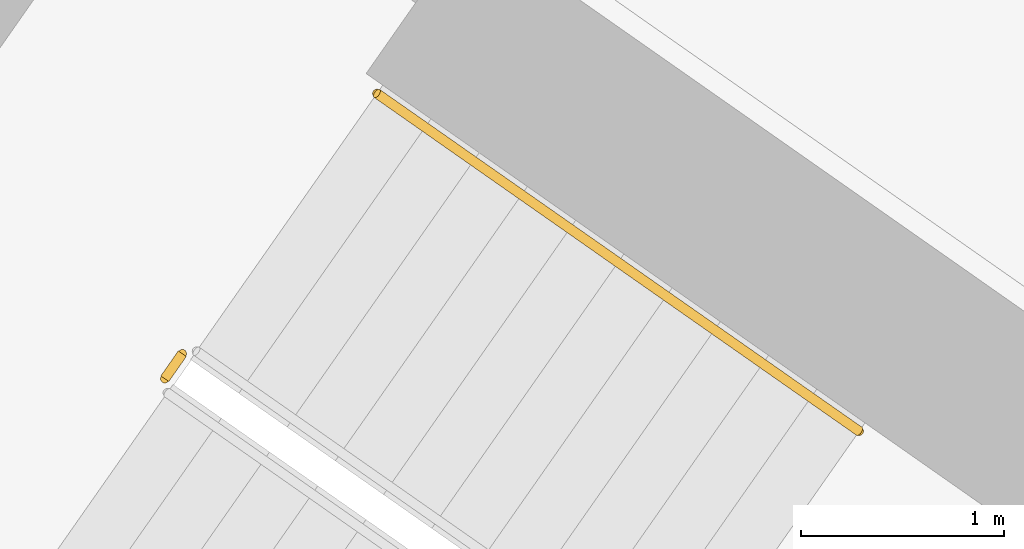
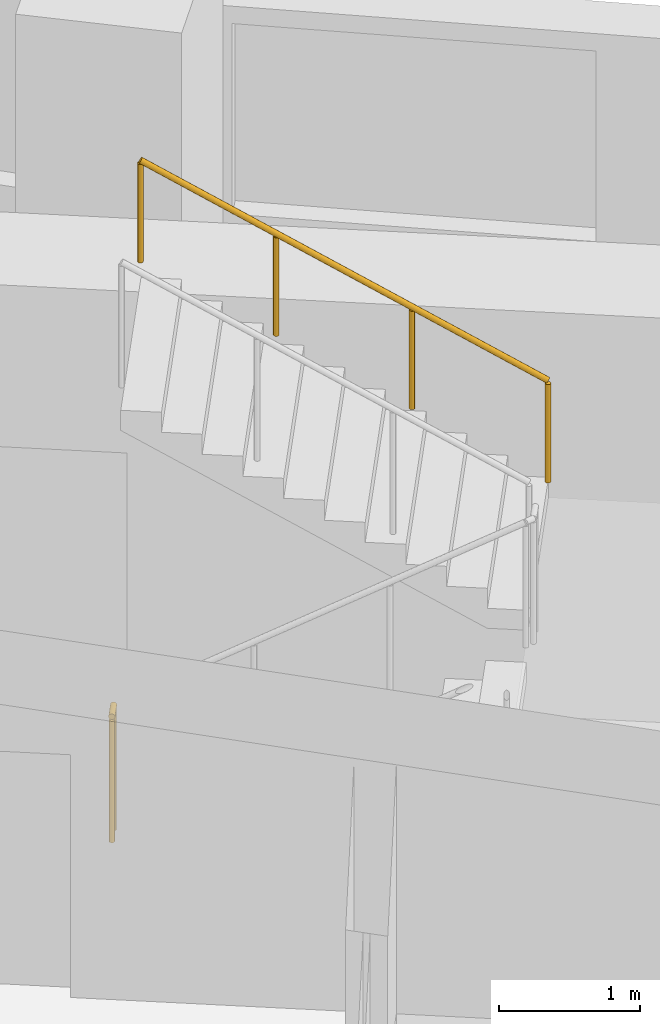
# One storey, part 27 of 33: 2 railings.
"""IFC4 building model written with IfcOpenShell, lengths in metres."""

from ifc_helpers import new_model, si_unit, direction, frame, origin, origin_2d, place, context, subcontext, project, spatial, circle, extrude, material, type_object, element, save


model = new_model("IFC4")

# Units and contexts
model_context = context("Model", 3, precision=1e-05, world=origin(), true_north=direction((0.0, 1.0)))
body_context = subcontext(model_context, "Body", "Model", "MODEL_VIEW")
ifc_project = project(units=[si_unit("LENGTHUNIT", "METRE"), si_unit("AREAUNIT", "SQUARE_METRE"), si_unit("VOLUMEUNIT", "CUBIC_METRE"), si_unit("PLANEANGLEUNIT", "RADIAN"), si_unit("MASSUNIT", "GRAM", prefix="KILO")], contexts=[model_context])

# Site, building, storey
site_placement = place(None, origin())
site = spatial("IfcSite", under=ifc_project, at=site_placement, CompositionType="ELEMENT")
building_placement = place(site_placement, origin())
building = spatial("IfcBuilding", under=site, at=building_placement, Name="Qamariyya Broadcast Tower", CompositionType="ELEMENT")
storey_placement = place(building_placement, frame((0.0, 0.0, 94.89990234375)))
storey = spatial("IfcBuildingStorey", under=building, at=storey_placement, Name="L20", CompositionType="ELEMENT", Elevation=94.89990234375)

# Railings
ifc_material_1 = material(Name="Painted steel", Category="steel")
railing_type_1 = type_object("IfcRailingType", Name="Stair guard", PredefinedType="GUARDRAIL", material=ifc_material_1)
railing_1_placement = place(storey_placement, frame((-41.158935546875, -48.455322265625, 0.0)))
element("IfcRailing", 1, at=railing_1_placement, inside=storey, type_object=railing_type_1, Name="L20 ST-W2 stair guard 3", PredefinedType="GUARDRAIL", context=body_context, shape_type="SweptSolid", body=[
    extrude(circle(Radius=0.02392578125, at=origin_2d()), frame((0.0, 0.0, 1.076171875), z_axis=(0.572588637393, 0.819842821722, 0.0), x_axis=(-0.819842821722, 0.572588637393, 0.0)), (0.0, 0.0, 1.0), 0.150146484375),
    extrude(circle(Radius=0.02099609375, at=origin_2d()), origin(), (0.0, 0.0, 1.0), 1.052001953125),
    extrude(circle(Radius=0.02099609375, at=origin_2d()), frame((0.0859375, 0.123046875, 0.0)), (0.0, 0.0, 1.0), 1.052001953125),
])
ifc_material_2 = material(Name="Stainless steel", Category="steel")
railing_type_2 = type_object("IfcRailingType", Name="Stair handrail", PredefinedType="HANDRAIL", material=ifc_material_2)
railing_2_placement = place(storey_placement, frame((-37.73876953125, -48.7138671875, 2.07275390625)))
element("IfcRailing", 2, at=railing_2_placement, inside=storey, type_object=railing_type_2, Name="L20 ST-W2 stair handrail 2", PredefinedType="HANDRAIL", context=body_context, shape_type="SweptSolid", body=[
    extrude(circle(Radius=0.02392578125, at=origin_2d()), frame((0.0, 0.0, 0.8759765625), z_axis=(-0.703745009021, 0.492838488332, 0.511715923826), x_axis=(-0.573631830683, -0.819113253969, 0.0)), (0.0, 0.0, 1.0), 3.37548828125),
    extrude(circle(Radius=0.02099609375, at=origin_2d()), origin(), (0.0, 0.0, 1.0), 0.851806640625),
    extrude(circle(Radius=0.02099609375, at=origin_2d()), frame((-0.791748046875, 0.554443359375, 0.57568359375)), (0.0, 0.0, 1.0), 0.851806640625),
    extrude(circle(Radius=0.02099609375, at=origin_2d()), frame((-1.583740234375, 1.109130859375, 1.151611328125)), (0.0, 0.0, 1.0), 0.851806640625),
    extrude(circle(Radius=0.02099609375, at=origin_2d()), frame((-2.37548828125, 1.66357421875, 1.727294921875)), (0.0, 0.0, 1.0), 0.851806640625),
])

save(model, "model.ifc")
